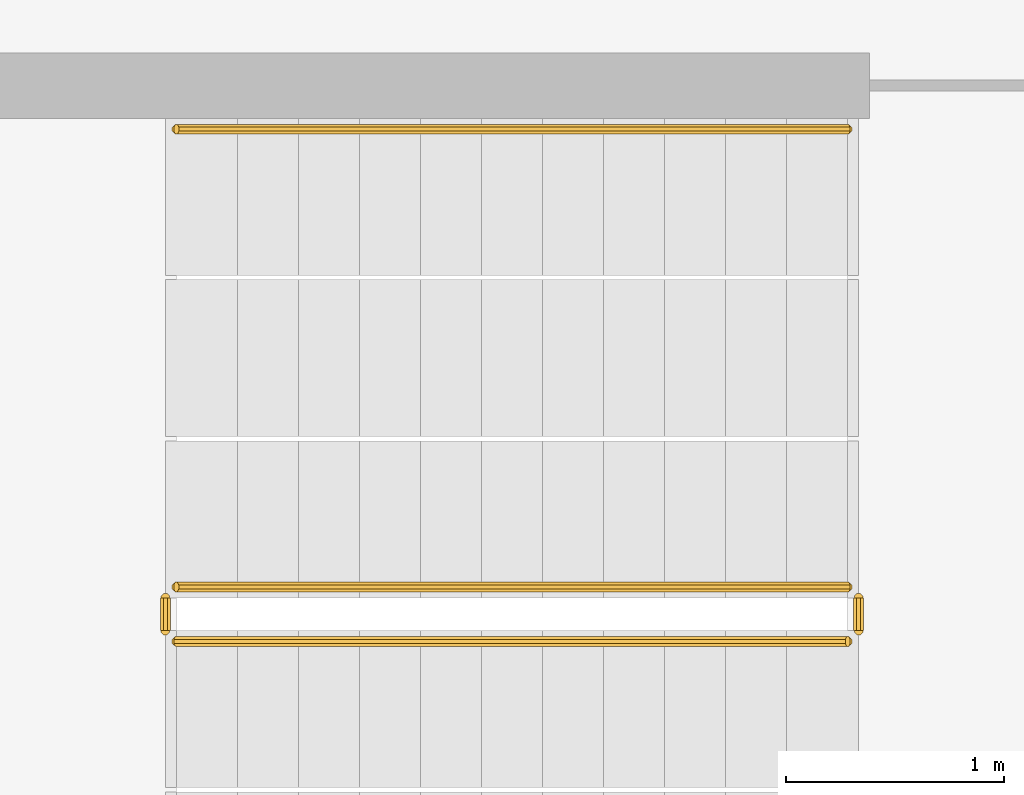
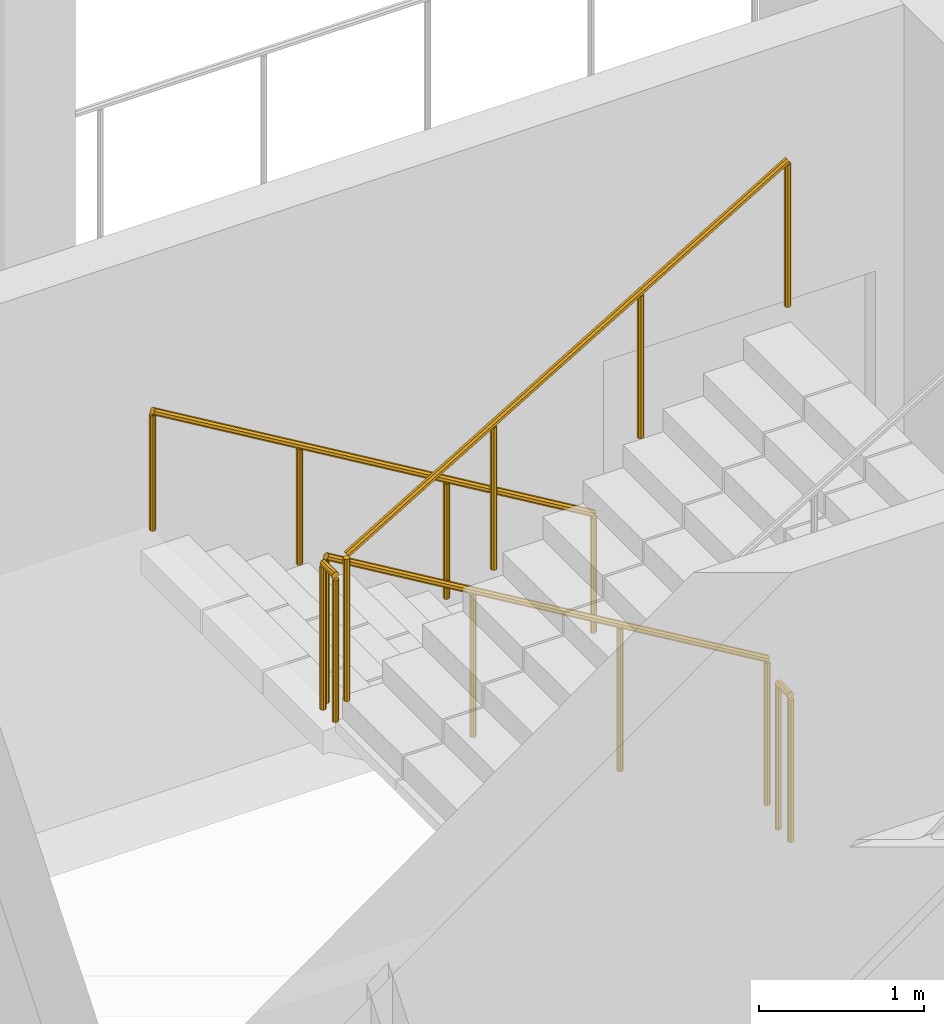
# One storey, part 20 of 28: 5 railings.
"""IFC4 building model written with IfcOpenShell, lengths in metres."""

from ifc_helpers import new_model, si_unit, direction, frame, origin, place, context, subcontext, project, spatial, polyline, outline, extrude, material, type_object, element, save


model = new_model("IFC4")

# Units and contexts
model_context = context("Model", 3, precision=1e-05, world=origin(), true_north=direction((0.0, 1.0)))
body_context = subcontext(model_context, "Body", "Model", "MODEL_VIEW")
ifc_project = project(units=[si_unit("LENGTHUNIT", "METRE"), si_unit("AREAUNIT", "SQUARE_METRE"), si_unit("VOLUMEUNIT", "CUBIC_METRE"), si_unit("PLANEANGLEUNIT", "RADIAN"), si_unit("MASSUNIT", "GRAM", prefix="KILO")], contexts=[model_context])

# Site, building, storey
site_placement = place(None, origin())
site = spatial("IfcSite", under=ifc_project, at=site_placement, CompositionType="ELEMENT")
building_placement = place(site_placement, origin())
building = spatial("IfcBuilding", under=site, at=building_placement, Name="Cormorant Relay Tower", CompositionType="ELEMENT")
storey_placement = place(building_placement, frame((0.0, 0.0, 130.199951171875)))
storey = spatial("IfcBuildingStorey", under=building, at=storey_placement, Name="L26", CompositionType="ELEMENT", Elevation=130.199951171875)

# Railings
ifc_material_1 = material(Name="Steel ASTM A572 Grade 50 (Fy 345 MPa)", Category="steel")
railing_type_1 = type_object("IfcRailingType", Name="Stair guard 1100", PredefinedType="GUARDRAIL", material=ifc_material_1)
railing_1_placement = place(storey_placement, frame((1.60009765625, -18.27490234375, 0.166748046875)))
element("IfcRailing", 1, at=railing_1_placement, inside=storey, type_object=railing_type_1, Name="L26 RK1 stair guard 1", PredefinedType="GUARDRAIL", context=body_context, shape_type="SweptSolid", body=[
    extrude(outline(polyline([(0.022216796875, 0.00927734375), (0.00927734375, 0.022216796875), (-0.00927734375, 0.022216796875), (-0.022216796875, 0.00927734375), (-0.022216796875, -0.00927734375), (-0.00927734375, -0.022216796875), (0.00927734375, -0.022216796875), (0.022216796875, -0.00927734375), (0.022216796875, 0.00927734375)])), frame((0.0, 0.0, 1.076171875), z_axis=(-0.859308565015, 0.0, 0.511457515432), x_axis=(0.0, -1.0, 0.0)), (0.0, 0.0, 1.0), 3.58447265625),
    extrude(outline(polyline([(0.019287109375, 0.008056640625), (0.008056640625, 0.019287109375), (-0.008056640625, 0.019287109375), (-0.019287109375, 0.008056640625), (-0.019287109375, -0.008056640625), (-0.008056640625, -0.019287109375), (0.008056640625, -0.019287109375), (0.019287109375, -0.008056640625), (0.019287109375, 0.008056640625)])), origin(), (0.0, 0.0, 1.0), 1.052001953125),
    extrude(outline(polyline([(0.019287109375, 0.008056640625), (0.008056640625, 0.019287109375), (-0.008056640625, 0.019287109375), (-0.019287109375, 0.008056640625), (-0.019287109375, -0.008056640625), (-0.008056640625, -0.019287109375), (0.008056640625, -0.019287109375), (0.019287109375, -0.008056640625), (0.019287109375, 0.008056640625)])), frame((-1.026611328125, 0.0, 0.611083984375)), (0.0, 0.0, 1.0), 1.052001953125),
    extrude(outline(polyline([(0.019287109375, 0.008056640625), (0.008056640625, 0.019287109375), (-0.008056640625, 0.019287109375), (-0.019287109375, 0.008056640625), (-0.019287109375, -0.008056640625), (-0.008056640625, -0.019287109375), (0.008056640625, -0.019287109375), (0.019287109375, -0.008056640625), (0.019287109375, 0.008056640625)])), frame((-2.053466796875, 0.0, 1.22216796875)), (0.0, 0.0, 1.0), 1.052001953125),
    extrude(outline(polyline([(0.019287109375, 0.008056640625), (0.008056640625, 0.019287109375), (-0.008056640625, 0.019287109375), (-0.019287109375, 0.008056640625), (-0.019287109375, -0.008056640625), (-0.008056640625, -0.019287109375), (0.008056640625, -0.019287109375), (0.019287109375, -0.008056640625), (0.019287109375, 0.008056640625)])), frame((-3.080078125, 0.0, 1.833251953125)), (0.0, 0.0, 1.0), 1.052001953125),
])
railing_2_placement = place(storey_placement, frame((-1.530029296875, -18.324951171875, 2.0)))
element("IfcRailing", 2, at=railing_2_placement, inside=storey, type_object=railing_type_1, Name="L26 RK1 stair guard 2", PredefinedType="GUARDRAIL", context=body_context, shape_type="SweptSolid", body=[
    extrude(outline(polyline([(0.022216796875, 0.00927734375), (0.00927734375, 0.022216796875), (-0.00927734375, 0.022216796875), (-0.022216796875, 0.00927734375), (-0.022216796875, -0.00927734375), (-0.00927734375, -0.022216796875), (0.00927734375, -0.022216796875), (0.022216796875, -0.00927734375), (0.022216796875, 0.00927734375)])), frame((0.0, 0.0, 1.076171875), z_axis=(0.0, -1.0, 0.0), x_axis=(1.0, 0.0, 0.0)), (0.0, 0.0, 1.0), 0.150146484375),
    extrude(outline(polyline([(0.019287109375, 0.008056640625), (0.008056640625, 0.019287109375), (-0.008056640625, 0.019287109375), (-0.019287109375, 0.008056640625), (-0.019287109375, -0.008056640625), (-0.008056640625, -0.019287109375), (0.008056640625, -0.019287109375), (0.019287109375, -0.008056640625), (0.019287109375, 0.008056640625)])), origin(), (0.0, 0.0, 1.0), 1.052001953125),
    extrude(outline(polyline([(0.019287109375, 0.008056640625), (0.008056640625, 0.019287109375), (-0.008056640625, 0.019287109375), (-0.019287109375, 0.008056640625), (-0.019287109375, -0.008056640625), (-0.008056640625, -0.019287109375), (0.008056640625, -0.019287109375), (0.019287109375, -0.008056640625), (0.019287109375, 0.008056640625)])), frame((0.0, -0.150146484375, 0.0)), (0.0, 0.0, 1.0), 1.052001953125),
])
railing_3_placement = place(storey_placement, frame((-1.47998046875, -18.52490234375, 2.166748046875)))
element("IfcRailing", 3, at=railing_3_placement, inside=storey, type_object=railing_type_1, Name="L26 RK1 stair guard 3", PredefinedType="GUARDRAIL", context=body_context, shape_type="SweptSolid", body=[
    extrude(outline(polyline([(0.022216796875, 0.00927734375), (0.00927734375, 0.022216796875), (-0.00927734375, 0.022216796875), (-0.022216796875, 0.00927734375), (-0.022216796875, -0.00927734375), (-0.00927734375, -0.022216796875), (0.00927734375, -0.022216796875), (0.022216796875, -0.00927734375), (0.022216796875, 0.00927734375)])), frame((0.0, 0.0, 1.076171875), z_axis=(0.859308565015, 0.0, 0.511457515432), x_axis=(0.0, 1.0, 0.0)), (0.0, 0.0, 1.0), 3.58447265625),
    extrude(outline(polyline([(0.019287109375, 0.008056640625), (0.008056640625, 0.019287109375), (-0.008056640625, 0.019287109375), (-0.019287109375, 0.008056640625), (-0.019287109375, -0.008056640625), (-0.008056640625, -0.019287109375), (0.008056640625, -0.019287109375), (0.019287109375, -0.008056640625), (0.019287109375, 0.008056640625)])), origin(), (0.0, 0.0, 1.0), 1.052001953125),
    extrude(outline(polyline([(0.019287109375, 0.008056640625), (0.008056640625, 0.019287109375), (-0.008056640625, 0.019287109375), (-0.019287109375, 0.008056640625), (-0.019287109375, -0.008056640625), (-0.008056640625, -0.019287109375), (0.008056640625, -0.019287109375), (0.019287109375, -0.008056640625), (0.019287109375, 0.008056640625)])), frame((1.026611328125, 0.0, 0.611083984375)), (0.0, 0.0, 1.0), 1.052001953125),
    extrude(outline(polyline([(0.019287109375, 0.008056640625), (0.008056640625, 0.019287109375), (-0.008056640625, 0.019287109375), (-0.019287109375, 0.008056640625), (-0.019287109375, -0.008056640625), (-0.008056640625, -0.019287109375), (0.008056640625, -0.019287109375), (0.019287109375, -0.008056640625), (0.019287109375, 0.008056640625)])), frame((2.053466796875, 0.0, 1.22216796875)), (0.0, 0.0, 1.0), 1.052001953125),
    extrude(outline(polyline([(0.019287109375, 0.008056640625), (0.008056640625, 0.019287109375), (-0.008056640625, 0.019287109375), (-0.019287109375, 0.008056640625), (-0.019287109375, -0.008056640625), (-0.008056640625, -0.019287109375), (0.008056640625, -0.019287109375), (0.019287109375, -0.008056640625), (0.019287109375, 0.008056640625)])), frame((3.080078125, 0.0, 1.833251953125)), (0.0, 0.0, 1.0), 1.052001953125),
])
railing_4_placement = place(storey_placement, frame((1.64990234375, -18.324951171875, 0.0)))
element("IfcRailing", 4, at=railing_4_placement, inside=storey, type_object=railing_type_1, Name="L26 RK1 stair guard 4", PredefinedType="GUARDRAIL", context=body_context, shape_type="SweptSolid", body=[
    extrude(outline(polyline([(0.022216796875, 0.00927734375), (0.00927734375, 0.022216796875), (-0.00927734375, 0.022216796875), (-0.022216796875, 0.00927734375), (-0.022216796875, -0.00927734375), (-0.00927734375, -0.022216796875), (0.00927734375, -0.022216796875), (0.022216796875, -0.00927734375), (0.022216796875, 0.00927734375)])), frame((0.0, 0.0, 1.076171875), z_axis=(0.0, -1.0, 0.0), x_axis=(1.0, 0.0, 0.0)), (0.0, 0.0, 1.0), 0.150146484375),
    extrude(outline(polyline([(0.019287109375, 0.008056640625), (0.008056640625, 0.019287109375), (-0.008056640625, 0.019287109375), (-0.019287109375, 0.008056640625), (-0.019287109375, -0.008056640625), (-0.008056640625, -0.019287109375), (0.008056640625, -0.019287109375), (0.019287109375, -0.008056640625), (0.019287109375, 0.008056640625)])), origin(), (0.0, 0.0, 1.0), 1.052001953125),
    extrude(outline(polyline([(0.019287109375, 0.008056640625), (0.008056640625, 0.019287109375), (-0.008056640625, 0.019287109375), (-0.019287109375, 0.008056640625), (-0.019287109375, -0.008056640625), (-0.008056640625, -0.019287109375), (0.008056640625, -0.019287109375), (0.019287109375, -0.008056640625), (0.019287109375, 0.008056640625)])), frame((0.0, -0.150146484375, 0.0)), (0.0, 0.0, 1.0), 1.052001953125),
])
ifc_material_2 = material(Name="Steel ASTM A572 Grade 50 (Fy 345 MPa)", Category="steel")
railing_type_2 = type_object("IfcRailingType", Name="Stair handrail 900", PredefinedType="HANDRAIL", material=ifc_material_2)
railing_5_placement = place(storey_placement, frame((1.60009765625, -16.175048828125, 0.166748046875)))
element("IfcRailing", 5, at=railing_5_placement, inside=storey, type_object=railing_type_2, Name="L26 RK1 stair handrail 1", PredefinedType="HANDRAIL", context=body_context, shape_type="SweptSolid", body=[
    extrude(outline(polyline([(0.022216796875, 0.00927734375), (0.00927734375, 0.022216796875), (-0.00927734375, 0.022216796875), (-0.022216796875, 0.00927734375), (-0.022216796875, -0.00927734375), (-0.00927734375, -0.022216796875), (0.00927734375, -0.022216796875), (0.022216796875, -0.00927734375), (0.022216796875, 0.00927734375)])), frame((0.0, 0.0, 0.8759765625), z_axis=(-0.859308565015, 0.0, 0.511457515432), x_axis=(0.0, -1.0, 0.0)), (0.0, 0.0, 1.0), 3.58447265625),
    extrude(outline(polyline([(0.019287109375, 0.008056640625), (0.008056640625, 0.019287109375), (-0.008056640625, 0.019287109375), (-0.019287109375, 0.008056640625), (-0.019287109375, -0.008056640625), (-0.008056640625, -0.019287109375), (0.008056640625, -0.019287109375), (0.019287109375, -0.008056640625), (0.019287109375, 0.008056640625)])), origin(), (0.0, 0.0, 1.0), 0.851806640625),
    extrude(outline(polyline([(0.019287109375, 0.008056640625), (0.008056640625, 0.019287109375), (-0.008056640625, 0.019287109375), (-0.019287109375, 0.008056640625), (-0.019287109375, -0.008056640625), (-0.008056640625, -0.019287109375), (0.008056640625, -0.019287109375), (0.019287109375, -0.008056640625), (0.019287109375, 0.008056640625)])), frame((-1.026611328125, 0.0, 0.611083984375)), (0.0, 0.0, 1.0), 0.851806640625),
    extrude(outline(polyline([(0.019287109375, 0.008056640625), (0.008056640625, 0.019287109375), (-0.008056640625, 0.019287109375), (-0.019287109375, 0.008056640625), (-0.019287109375, -0.008056640625), (-0.008056640625, -0.019287109375), (0.008056640625, -0.019287109375), (0.019287109375, -0.008056640625), (0.019287109375, 0.008056640625)])), frame((-2.053466796875, 0.0, 1.22216796875)), (0.0, 0.0, 1.0), 0.851806640625),
    extrude(outline(polyline([(0.019287109375, 0.008056640625), (0.008056640625, 0.019287109375), (-0.008056640625, 0.019287109375), (-0.019287109375, 0.008056640625), (-0.019287109375, -0.008056640625), (-0.008056640625, -0.019287109375), (0.008056640625, -0.019287109375), (0.019287109375, -0.008056640625), (0.019287109375, 0.008056640625)])), frame((-3.080078125, 0.0, 1.833251953125)), (0.0, 0.0, 1.0), 0.851806640625),
])

save(model, "model.ifc")
